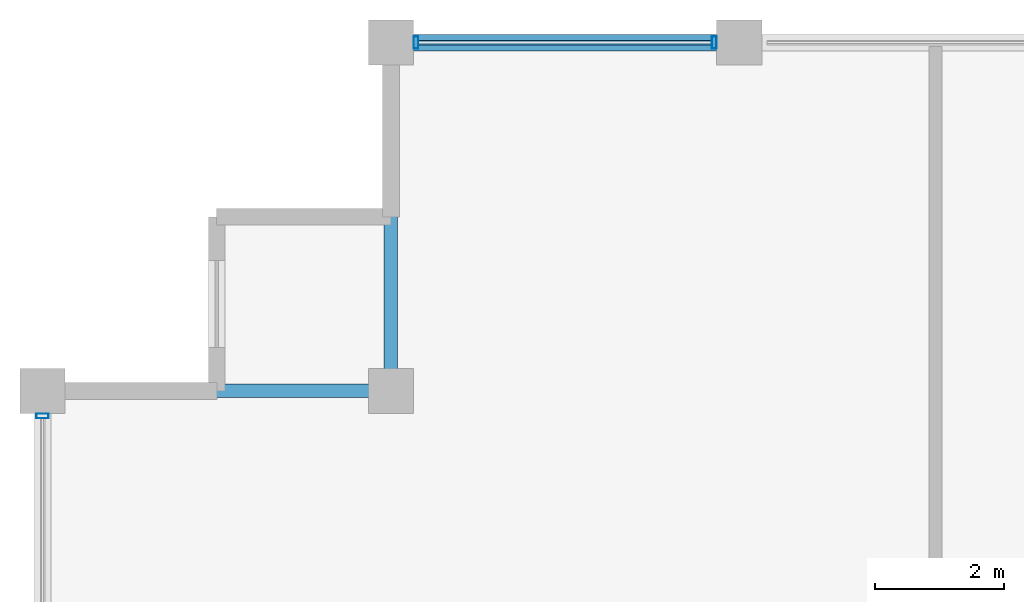
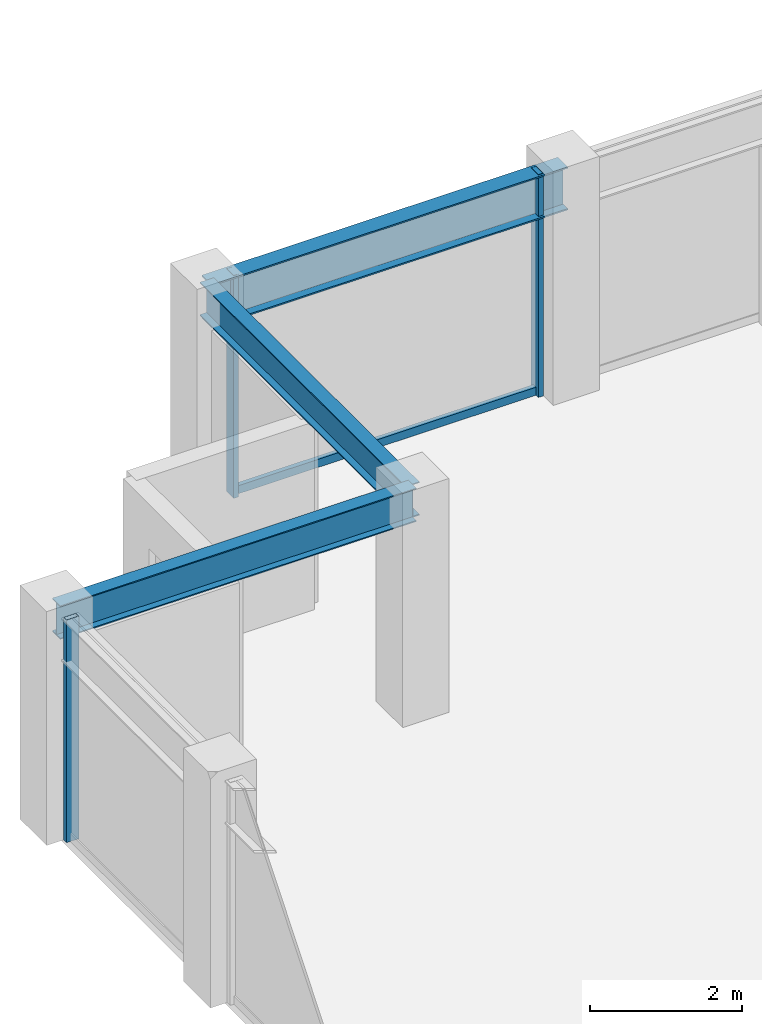
# One storey, part 16 of 30: 4 members, 3 beams, 2 elements without a shape of their own.
"""IFC4 building model written with IfcOpenShell, lengths in metres."""

from ifc_helpers import new_model, si_unit, direction, frame, origin, origin_2d, place, context, subcontext, project, spatial, hollow_rectangle, i_section, extrude, material, layer, layer_set, material_profile, profile_set, type_object, element, aggregate, save


model = new_model("IFC4")

# Units and contexts
model_context = context("Model", 3, precision=1e-05, world=origin(), true_north=direction((0.0, 1.0)))
body_context = subcontext(model_context, "Body", "Model", "MODEL_VIEW")
ifc_project = project(units=[si_unit("LENGTHUNIT", "METRE"), si_unit("AREAUNIT", "SQUARE_METRE"), si_unit("VOLUMEUNIT", "CUBIC_METRE"), si_unit("PLANEANGLEUNIT", "RADIAN"), si_unit("MASSUNIT", "GRAM", prefix="KILO")], contexts=[model_context])

# Site, building, storey
site_placement = place(None, origin())
site = spatial("IfcSite", under=ifc_project, at=site_placement, CompositionType="ELEMENT")
building_placement = place(site_placement, origin())
building = spatial("IfcBuilding", under=site, at=building_placement, Name="Surkhivell Harbour Commons", CompositionType="ELEMENT")
storey_placement = place(building_placement, frame((0.0, 0.0, 300.0)))
storey = spatial("IfcBuildingStorey", under=building, at=storey_placement, Name="L78", CompositionType="ELEMENT", Elevation=300.0)

# Beams
ifc_material_1 = material(Name="Steel S355", Category="steel")
ifc_material_profile_1 = material_profile(ifc_material_1, i_section(OverallWidth=0.2099609375, OverallDepth=0.537109375, WebThickness=0.0107421875, FlangeThickness=0.017333984375, at=origin_2d()), Name="UB533x210x101")
ifc_profile_set_1 = profile_set([ifc_material_profile_1], Name="Steel S355")
beam_type_1 = type_object("IfcBeamType", Name="BM-GRD-533B", PredefinedType="BEAM", material=ifc_profile_set_1)
for number, where, z_axis, x_axis, name in (
    (1, (-27.0, 20.5, 3.301513671875), (1.0, 0.0, 0.0), (0.0, 1.0, 0.0), "L78 Floor Girder (-27.0,20.5)"),
    (2, (-21.60009765625, 20.5, 3.301513671875), (0.0, 1.0, 0.0), (-1.0, 0.0, 0.0), "L78 Floor Girder (-21.6,20.5)"),
):
    element("IfcBeam", number, at=place(storey_placement, frame(where, z_axis=z_axis, x_axis=x_axis)), inside=storey, type_object=beam_type_1, Name=name, PredefinedType="BEAM", context=body_context, shape_type="SweptSolid", body=[
        extrude(i_section(OverallWidth=0.2099609375, OverallDepth=0.537109375, WebThickness=0.0107421875, FlangeThickness=0.017333984375, at=origin_2d()), origin(), (0.0, 0.0, 1.0), 5.39990234375),
    ])
ifc_material_profile_2 = material_profile(ifc_material_1, i_section(OverallWidth=0.256103515625, OverallDepth=0.693115234375, WebThickness=0.014404296875, FlangeThickness=0.023681640625, at=origin_2d()), Name="UB686x254x170")
ifc_profile_set_2 = profile_set([ifc_material_profile_2], Name="Steel S355")
beam_type_2 = type_object("IfcBeamType", Name="BM-SPN-686", PredefinedType="SPANDREL", material=ifc_profile_set_2)
beam_placement = place(storey_placement, frame((-21.60009765625, 25.89990234375, 3.223388671875), z_axis=(1.0, 0.0, 0.0), x_axis=(0.0, 1.0, 0.0)))
element("IfcBeam", 3, at=beam_placement, inside=storey, type_object=beam_type_2, Name="L78 Tube Spandrel (-21.6,25.9)", PredefinedType="SPANDREL", context=body_context, shape_type="SweptSolid", body=[
    extrude(i_section(OverallWidth=0.256103515625, OverallDepth=0.693115234375, WebThickness=0.014404296875, FlangeThickness=0.023681640625, at=origin_2d()), origin(), (0.0, 0.0, 1.0), 5.400146484375),
])

# Curtain wall, members
ifc_material_2 = material(Name="Anodised pale-metal aluminium and insulated glazing", Category="aluminium")
ifc_layer = layer(ifc_material_2, 0.175048828125)
ifc_layer_set = layer_set([ifc_layer], Name="Anodised pale-metal aluminium and insulated glazing")
curtain_wall_type = type_object("IfcCurtainWallType", Name="CW-SYS-Z4", PredefinedType="NOTDEFINED", material=ifc_layer_set)
curtain_wall_1_placement = place(storey_placement, origin())
curtain_wall_1 = element("IfcCurtainWall", 4, at=curtain_wall_1_placement, inside=storey, type_object=curtain_wall_type, Name="L78 Curtain Wall CW-L78-E07S2", PredefinedType="NOTDEFINED")
ifc_material_3 = material(Name="Anodised pale-metal aluminium alloy 6063-T6", Category="aluminium")
ifc_material_profile_3 = material_profile(ifc_material_3, hollow_rectangle(XDim=0.074951171875, YDim=0.18994140625, WallThickness=0.00390625, at=origin_2d()), Name="ALU-MULL-75x190")
ifc_profile_set_3 = profile_set([ifc_material_profile_3], Name="Anodised pale-metal aluminium alloy 6063-T6")
member_type_1 = type_object("IfcMemberType", Name="CWM-190", PredefinedType="MULLION", material=ifc_profile_set_3)
member_1_placement = place(storey_placement, frame((-16.589599609375, 25.89990234375, 0.0), z_axis=(0.0, 0.0, 1.0), x_axis=(-1.0, 0.0, 0.0)))
member_1 = element("IfcMember", 5, at=member_1_placement, type_object=member_type_1, Name="CW-Z4 mullion 3", PredefinedType="MULLION", context=body_context, shape_type="SweptSolid", body=[
    extrude(hollow_rectangle(XDim=0.074951171875, YDim=0.18994140625, WallThickness=0.00390625, at=origin_2d()), origin(), (0.0, 0.0, 1.0), 3.570068359375),
])
member_2_placement = place(storey_placement, frame((-21.21044921875, 25.89990234375, 0.0), z_axis=(0.0, 0.0, 1.0), x_axis=(-1.0, 0.0, 0.0)))
member_2 = element("IfcMember", 6, at=member_2_placement, type_object=member_type_1, Name="CW-Z4 mullion 4", PredefinedType="MULLION", context=body_context, shape_type="SweptSolid", body=[
    extrude(hollow_rectangle(XDim=0.074951171875, YDim=0.18994140625, WallThickness=0.00390625, at=origin_2d()), origin(), (0.0, 0.0, 1.0), 3.570068359375),
])

# Curtain wall, member
curtain_wall_2_placement = place(storey_placement, origin())
curtain_wall_2 = element("IfcCurtainWall", 7, at=curtain_wall_2_placement, inside=storey, type_object=curtain_wall_type, Name="L78 Curtain Wall CW-L78-E12S1", PredefinedType="NOTDEFINED")
member_3_placement = place(storey_placement, frame((-27.0, 20.110595703125, 0.0), z_axis=(0.0, 0.0, 1.0), x_axis=(0.0, -1.0, 0.0)))
member_3 = element("IfcMember", 8, at=member_3_placement, type_object=member_type_1, Name="CW-Z4 mullion 1", PredefinedType="MULLION", context=body_context, shape_type="SweptSolid", body=[
    extrude(hollow_rectangle(XDim=0.074951171875, YDim=0.18994140625, WallThickness=0.00390625, at=origin_2d()), origin(), (0.0, 0.0, 1.0), 3.570068359375),
])
aggregate(curtain_wall_2, [member_3])

# Member
ifc_material_4 = material(Name="Champagne anodised aluminium alloy 6063-T6", Category="aluminium")
ifc_material_profile_4 = material_profile(ifc_material_4, hollow_rectangle(XDim=0.070068359375, YDim=0.1298828125, WallThickness=0.00341796875, at=origin_2d()), Name="ALU-TRAN-70x130")
ifc_profile_set_4 = profile_set([ifc_material_profile_4], Name="Champagne anodised aluminium alloy 6063-T6")
member_type_2 = type_object("IfcMemberType", Name="CWT-130", PredefinedType="USERDEFINED", material=ifc_profile_set_4)
member_4_placement = place(storey_placement, frame((-16.626953125, 25.89990234375, 0.06494140625), z_axis=(-1.0, 0.0, 0.0), x_axis=(0.0, -1.0, 0.0)))
member_4 = element("IfcMember", 9, at=member_4_placement, type_object=member_type_2, Name="CW-Z4 transom 3.1", ObjectType="TRANSOM", PredefinedType="USERDEFINED", context=body_context, shape_type="SweptSolid", body=[
    extrude(hollow_rectangle(XDim=0.070068359375, YDim=0.1298828125, WallThickness=0.00341796875, at=origin_2d()), origin(), (0.0, 0.0, 1.0), 4.546142578125),
])

aggregate(curtain_wall_1, [member_1, member_2, member_4])

save(model, "model.ifc")
